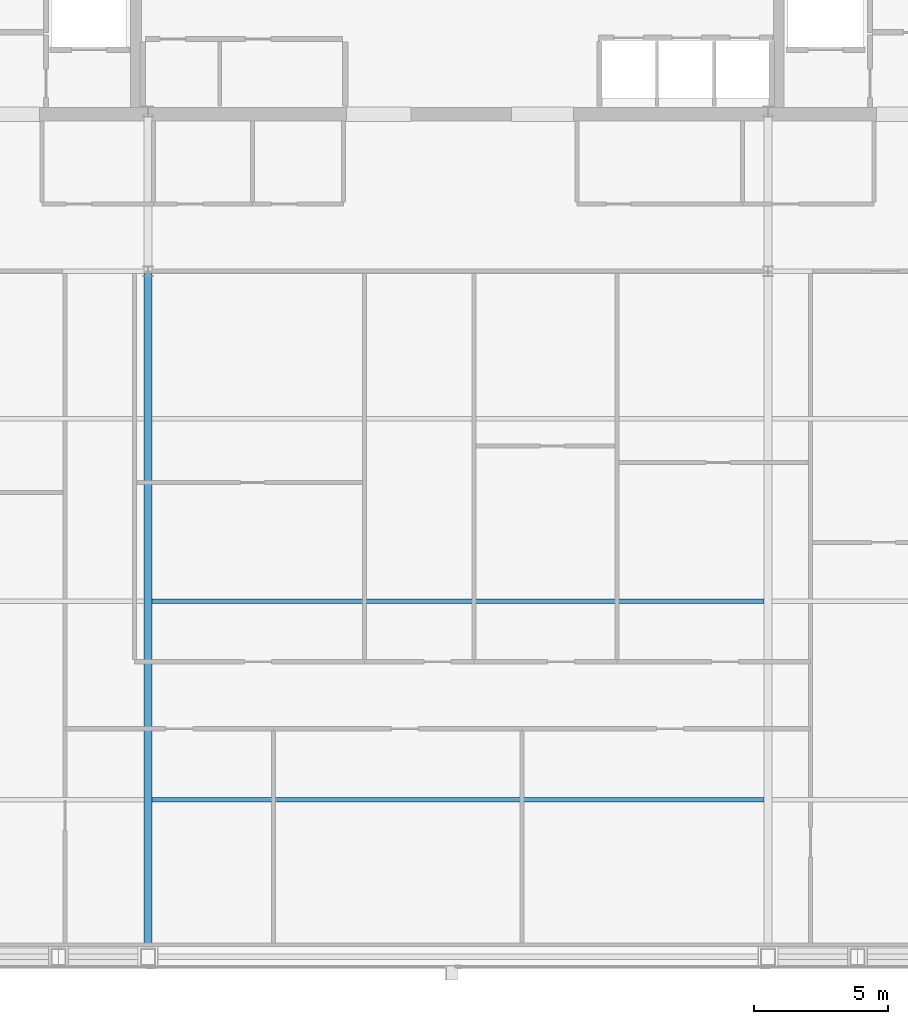
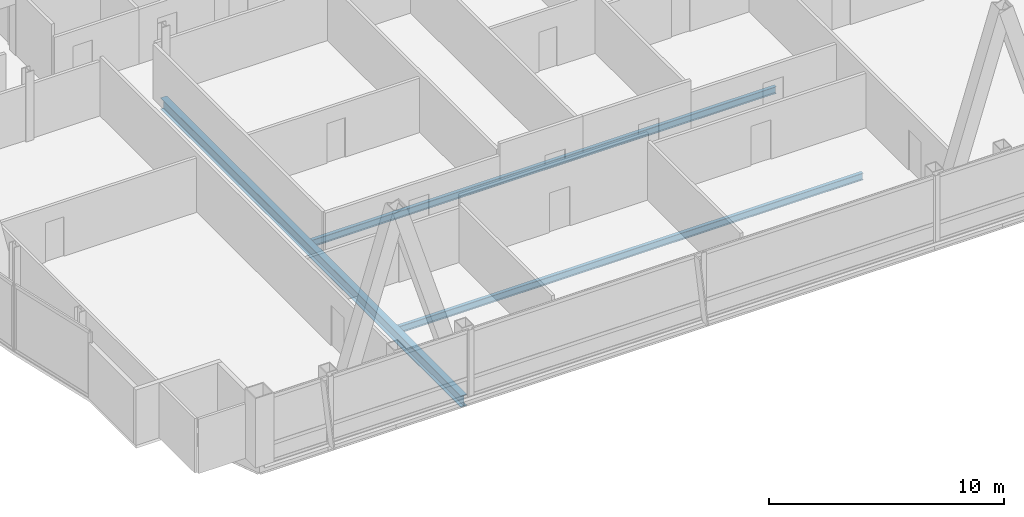
# One storey, part 10 of 31: 3 beams.
"""IFC4 building model written with IfcOpenShell, lengths in metres."""

from ifc_helpers import new_model, si_unit, direction, frame, origin, origin_2d, place, context, subcontext, project, spatial, i_section, extrude, material, material_profile, profile_set, type_object, element, save


model = new_model("IFC4")

# Units and contexts
model_context = context("Model", 3, precision=1e-05, world=origin(), true_north=direction((0.0, 1.0)))
body_context = subcontext(model_context, "Body", "Model", "MODEL_VIEW")
ifc_project = project(units=[si_unit("LENGTHUNIT", "METRE"), si_unit("AREAUNIT", "SQUARE_METRE"), si_unit("VOLUMEUNIT", "CUBIC_METRE"), si_unit("PLANEANGLEUNIT", "RADIAN"), si_unit("MASSUNIT", "GRAM", prefix="KILO")], contexts=[model_context])

# Site, building, storey
site_placement = place(None, origin())
site = spatial("IfcSite", under=ifc_project, at=site_placement, CompositionType="ELEMENT")
building_placement = place(site_placement, origin())
building = spatial("IfcBuilding", under=site, at=building_placement, Name="Khoronbel Lancet Exchange", CompositionType="ELEMENT")
storey_placement = place(building_placement, frame((0.0, 0.0, 325.39990234375)))
storey = spatial("IfcBuildingStorey", under=building, at=storey_placement, Name="L84", CompositionType="ELEMENT", Elevation=325.39990234375)

# Beams
ifc_material = material(Name="Steel S355", Category="steel")
ifc_material_profile_1 = material_profile(ifc_material, i_section(OverallWidth=0.300048828125, OverallDepth=0.60009765625, WebThickness=0.015380859375, FlangeThickness=0.030029296875, at=origin_2d()), Name="HEB 600")
ifc_profile_set_1 = profile_set([ifc_material_profile_1], Name="Steel S355")
beam_type_1 = type_object("IfcBeamType", Name="BM-BG5", PredefinedType="BEAM", material=ifc_profile_set_1)
beam_placement = place(storey_placement, frame((24.89990234375, 10.14990234375, -0.4599609375), z_axis=(0.0, 1.0, 0.0), x_axis=(-1.0, 0.0, 0.0)))
element("IfcBeam", 1, at=beam_placement, inside=storey, type_object=beam_type_1, Name="Level L84 south primary girder GS2", PredefinedType="BEAM", context=body_context, shape_type="SweptSolid", body=[
    extrude(i_section(OverallWidth=0.300048828125, OverallDepth=0.60009765625, WebThickness=0.015380859375, FlangeThickness=0.030029296875, at=origin_2d()), origin(), (0.0, 0.0, 1.0), 25.550048828125),
])
ifc_material_profile_2 = material_profile(ifc_material, i_section(OverallWidth=0.169921875, OverallDepth=0.360107421875, WebThickness=0.008056640625, FlangeThickness=0.0126953125, at=origin_2d()), Name="IPE 360")
ifc_profile_set_2 = profile_set([ifc_material_profile_2], Name="Steel S355")
beam_type_2 = type_object("IfcBeamType", Name="BM-BJ6", PredefinedType="JOIST", material=ifc_profile_set_2)
for number, where, z_axis, x_axis, name in (
    (2, (25.050048828125, 16.0, -0.33984375), (1.0, 0.0, 0.0), (0.0, 1.0, 0.0), "Level L84 secondary composite joist J02"),
    (3, (25.050048828125, 23.39990234375, -0.33984375), (1.0, 0.0, 0.0), (0.0, 1.0, 0.0), "Level L84 secondary composite joist J05"),
):
    element("IfcBeam", number, at=place(storey_placement, frame(where, z_axis=z_axis, x_axis=x_axis)), inside=storey, type_object=beam_type_2, Name=name, PredefinedType="JOIST", context=body_context, shape_type="SweptSolid", body=[
        extrude(i_section(OverallWidth=0.169921875, OverallDepth=0.360107421875, WebThickness=0.008056640625, FlangeThickness=0.0126953125, at=origin_2d()), origin(), (0.0, 0.0, 1.0), 22.800048828125),
    ])

save(model, "model.ifc")
